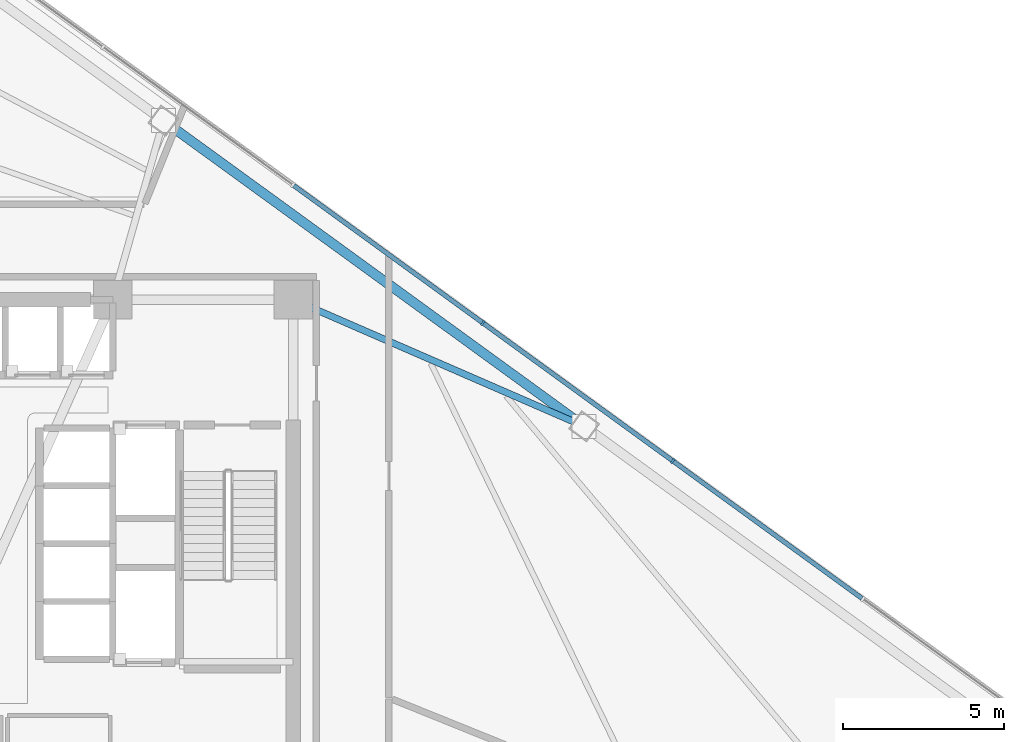
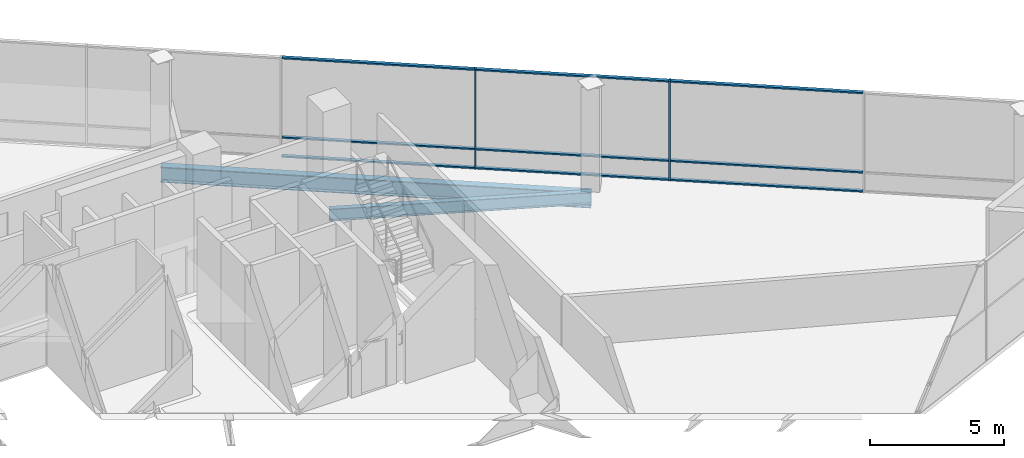
# One storey, part 9 of 18: 11 members, 2 beams, 1 element without a shape of its own.
"""IFC4 building model written with IfcOpenShell, lengths in metres."""

from ifc_helpers import new_model, si_unit, direction, frame, origin, origin_2d, place, context, subcontext, project, spatial, rectangle, i_section, extrude, material, layer, layer_set, material_profile, profile_set, type_object, element, aggregate, save


model = new_model("IFC4")

# Units and contexts
model_context = context("Model", 3, precision=1e-05, world=origin(), true_north=direction((0.0, 1.0)))
body_context = subcontext(model_context, "Body", "Model", "MODEL_VIEW")
ifc_project = project(units=[si_unit("LENGTHUNIT", "METRE"), si_unit("AREAUNIT", "SQUARE_METRE"), si_unit("VOLUMEUNIT", "CUBIC_METRE"), si_unit("PLANEANGLEUNIT", "RADIAN"), si_unit("MASSUNIT", "GRAM", prefix="KILO")], contexts=[model_context])

# Site, building, storey
site_placement = place(None, origin())
site = spatial("IfcSite", under=ifc_project, at=site_placement, CompositionType="ELEMENT")
building_placement = place(site_placement, origin())
building = spatial("IfcBuilding", under=site, at=building_placement, Name="Tharavind Bronze Gate", CompositionType="ELEMENT")
storey_placement = place(building_placement, frame((0.0, 0.0, 134.050048828125)))
storey = spatial("IfcBuildingStorey", under=building, at=storey_placement, Name="L34", CompositionType="ELEMENT", Elevation=134.050048828125)

# Curtain wall, members
ifc_material_1 = material(Name="Anodised Bronze Aluminium", Category="aluminium")
ifc_layer = layer(ifc_material_1, 0.219970703125)
ifc_layer_set = layer_set([ifc_layer], Name="Anodised Bronze Aluminium")
curtain_wall_type = type_object("IfcCurtainWallType", Name="UNITISED CURTAIN WALL LOWER OFFICE", PredefinedType="USERDEFINED", material=ifc_layer_set)
curtain_wall_placement = place(storey_placement, origin())
curtain_wall = element("IfcCurtainWall", 1, at=curtain_wall_placement, inside=storey, type_object=curtain_wall_type, Name="L34 unitised curtain wall lower office CW-L34-S3", ObjectType="UNITISED CURTAIN WALL", PredefinedType="USERDEFINED")
member_type_1 = type_object("IfcMemberType", Name="CURTAIN WALL BRONZE MULLION 65X180", PredefinedType="MULLION", material=ifc_material_1)
member_1_placement = place(storey_placement, frame((20.724365234375, 2.577392578125, 0.0), z_axis=(0.0, 0.0, 1.0), x_axis=(-0.809016994375, 0.587785252292, 0.0)))
member_1 = element("IfcMember", 2, at=member_1_placement, type_object=member_type_1, Name="CW-L34-S3 mullion 3", PredefinedType="MULLION", context=body_context, shape_type="SweptSolid", body=[
    extrude(rectangle(XDim=0.06494140625, YDim=0.179931640625, at=origin_2d()), origin(), (0.0, 0.0, 1.0), 4.56005859375),
])
member_2_placement = place(storey_placement, frame((14.807861328125, 6.876220703125, 0.0), z_axis=(0.0, 0.0, 1.0), x_axis=(-0.809016994375, 0.587785252292, 0.0)))
member_2 = element("IfcMember", 3, at=member_2_placement, type_object=member_type_1, Name="CW-L34-S3 mullion 4", PredefinedType="MULLION", context=body_context, shape_type="SweptSolid", body=[
    extrude(rectangle(XDim=0.06494140625, YDim=0.179931640625, at=origin_2d()), origin(), (0.0, 0.0, 1.0), 4.56005859375),
])
member_type_2 = type_object("IfcMemberType", Name="CURTAIN WALL BRONZE TRANSOM 65X140", PredefinedType="USERDEFINED", material=ifc_material_1)
member_3_placement = place(storey_placement, frame((23.6826171875, 0.427978515625, 0.0), z_axis=(0.0, 0.0, 1.0), x_axis=(-0.809016994375, 0.587785252292, 0.0)))
member_3 = element("IfcMember", 4, at=member_3_placement, type_object=member_type_2, Name="CW-L34-S3 transom TB2", ObjectType="TRANSOM", PredefinedType="USERDEFINED", context=body_context, shape_type="SweptSolid", body=[
    extrude(rectangle(XDim=7.260498046875, YDim=0.139892578125, at=origin_2d()), origin(), (0.0, 0.0, 1.0), 0.06494140625),
])
member_4_placement = place(storey_placement, frame((23.6826171875, 0.427978515625, 0.867431640625), z_axis=(0.0, 0.0, 1.0), x_axis=(-0.809016994375, 0.587785252292, 0.0)))
member_4 = element("IfcMember", 5, at=member_4_placement, type_object=member_type_2, Name="CW-L34-S3 transom TS2", ObjectType="TRANSOM", PredefinedType="USERDEFINED", context=body_context, shape_type="SweptSolid", body=[
    extrude(rectangle(XDim=7.260498046875, YDim=0.139892578125, at=origin_2d()), origin(), (0.0, 0.0, 1.0), 0.06494140625),
])
member_5_placement = place(storey_placement, frame((23.6826171875, 0.427978515625, 4.494873046875), z_axis=(0.0, 0.0, 1.0), x_axis=(-0.809016994375, 0.587785252292, 0.0)))
member_5 = element("IfcMember", 6, at=member_5_placement, type_object=member_type_2, Name="CW-L34-S3 transom TT2", ObjectType="TRANSOM", PredefinedType="USERDEFINED", context=body_context, shape_type="SweptSolid", body=[
    extrude(rectangle(XDim=7.260498046875, YDim=0.139892578125, at=origin_2d()), origin(), (0.0, 0.0, 1.0), 0.06494140625),
])
member_6_placement = place(storey_placement, frame((17.76611328125, 4.726806640625, 0.0), z_axis=(0.0, 0.0, 1.0), x_axis=(-0.809016994375, 0.587785252292, 0.0)))
member_6 = element("IfcMember", 7, at=member_6_placement, type_object=member_type_2, Name="CW-L34-S3 transom TB3", ObjectType="TRANSOM", PredefinedType="USERDEFINED", context=body_context, shape_type="SweptSolid", body=[
    extrude(rectangle(XDim=7.260498046875, YDim=0.139892578125, at=origin_2d()), origin(), (0.0, 0.0, 1.0), 0.06494140625),
])
member_7_placement = place(storey_placement, frame((17.76611328125, 4.726806640625, 0.867431640625), z_axis=(0.0, 0.0, 1.0), x_axis=(-0.809016994375, 0.587785252292, 0.0)))
member_7 = element("IfcMember", 8, at=member_7_placement, type_object=member_type_2, Name="CW-L34-S3 transom TS3", ObjectType="TRANSOM", PredefinedType="USERDEFINED", context=body_context, shape_type="SweptSolid", body=[
    extrude(rectangle(XDim=7.260498046875, YDim=0.139892578125, at=origin_2d()), origin(), (0.0, 0.0, 1.0), 0.06494140625),
])
member_8_placement = place(storey_placement, frame((17.76611328125, 4.726806640625, 4.494873046875), z_axis=(0.0, 0.0, 1.0), x_axis=(-0.809016994375, 0.587785252292, 0.0)))
member_8 = element("IfcMember", 9, at=member_8_placement, type_object=member_type_2, Name="CW-L34-S3 transom TT3", ObjectType="TRANSOM", PredefinedType="USERDEFINED", context=body_context, shape_type="SweptSolid", body=[
    extrude(rectangle(XDim=7.260498046875, YDim=0.139892578125, at=origin_2d()), origin(), (0.0, 0.0, 1.0), 0.06494140625),
])
member_9_placement = place(storey_placement, frame((11.849365234375, 9.025390625, 0.0), z_axis=(0.0, 0.0, 1.0), x_axis=(-0.809016994375, 0.587785252292, 0.0)))
member_9 = element("IfcMember", 10, at=member_9_placement, type_object=member_type_2, Name="CW-L34-S3 transom TB4", ObjectType="TRANSOM", PredefinedType="USERDEFINED", context=body_context, shape_type="SweptSolid", body=[
    extrude(rectangle(XDim=7.260498046875, YDim=0.139892578125, at=origin_2d()), origin(), (0.0, 0.0, 1.0), 0.06494140625),
])
member_10_placement = place(storey_placement, frame((11.849365234375, 9.025390625, 0.867431640625), z_axis=(0.0, 0.0, 1.0), x_axis=(-0.809016994375, 0.587785252292, 0.0)))
member_10 = element("IfcMember", 11, at=member_10_placement, type_object=member_type_2, Name="CW-L34-S3 transom TS4", ObjectType="TRANSOM", PredefinedType="USERDEFINED", context=body_context, shape_type="SweptSolid", body=[
    extrude(rectangle(XDim=7.260498046875, YDim=0.139892578125, at=origin_2d()), origin(), (0.0, 0.0, 1.0), 0.06494140625),
])
member_11_placement = place(storey_placement, frame((11.849365234375, 9.025390625, 4.494873046875), z_axis=(0.0, 0.0, 1.0), x_axis=(-0.809016994375, 0.587785252292, 0.0)))
member_11 = element("IfcMember", 12, at=member_11_placement, type_object=member_type_2, Name="CW-L34-S3 transom TT4", ObjectType="TRANSOM", PredefinedType="USERDEFINED", context=body_context, shape_type="SweptSolid", body=[
    extrude(rectangle(XDim=7.260498046875, YDim=0.139892578125, at=origin_2d()), origin(), (0.0, 0.0, 1.0), 0.06494140625),
])
aggregate(curtain_wall, [member_1, member_2, member_3, member_4, member_5, member_6, member_7, member_8, member_9, member_10, member_11])

# Beams
ifc_material_2 = material(Name="Steel S355", Category="steel")
ifc_material_profile_1 = material_profile(ifc_material_2, i_section(OverallWidth=0.2099609375, OverallDepth=0.550048828125, WebThickness=0.010986328125, FlangeThickness=0.01708984375, at=origin_2d()), Name="IPE550")
ifc_profile_set_1 = profile_set([ifc_material_profile_1], Name="Steel S355")
beam_type_1 = type_object("IfcBeamType", Name="PRIMARY GIRDER IPE550", PredefinedType="USERDEFINED", material=ifc_profile_set_1)
beam_1_placement = place(storey_placement, frame((17.961181640625, 3.658203125, -0.465087890625), z_axis=(-0.916988336064, 0.398914015199, 0.0), x_axis=(-0.398914015199, -0.916988336064, 0.0)))
element("IfcBeam", 13, at=beam_1_placement, inside=storey, type_object=beam_type_1, Name="L34 primary girder ipe550 BM-L34-RAD10", ObjectType="GIRDER", PredefinedType="USERDEFINED", context=body_context, shape_type="SweptSolid", body=[
    extrude(i_section(OverallWidth=0.2099609375, OverallDepth=0.550048828125, WebThickness=0.010986328125, FlangeThickness=0.01708984375, at=origin_2d()), origin(), (0.0, 0.0, 1.0), 9.881591796875),
])
ifc_material_profile_2 = material_profile(ifc_material_2, i_section(OverallWidth=0.300048828125, OverallDepth=0.699951171875, WebThickness=0.01708984375, FlangeThickness=0.031982421875, at=origin_2d()), Name="HE700B")
ifc_profile_set_2 = profile_set([ifc_material_profile_2], Name="Steel S355")
beam_type_2 = type_object("IfcBeamType", Name="RING GIRDER HE700B", PredefinedType="USERDEFINED", material=ifc_profile_set_2)
beam_2_placement = place(storey_placement, frame((17.961181640625, 3.658203125, -0.5400390625), z_axis=(-0.809019501524, 0.587781801482, 0.0), x_axis=(-0.587781801482, -0.809019501524, 0.0)))
element("IfcBeam", 14, at=beam_2_placement, inside=storey, type_object=beam_type_2, Name="L34 ring girder he700b BM-L34-PRG10", ObjectType="GIRDER", PredefinedType="USERDEFINED", context=body_context, shape_type="SweptSolid", body=[
    extrude(i_section(OverallWidth=0.300048828125, OverallDepth=0.699951171875, WebThickness=0.01708984375, FlangeThickness=0.031982421875, at=origin_2d()), origin(), (0.0, 0.0, 1.0), 16.198486328125),
])

save(model, "model.ifc")
